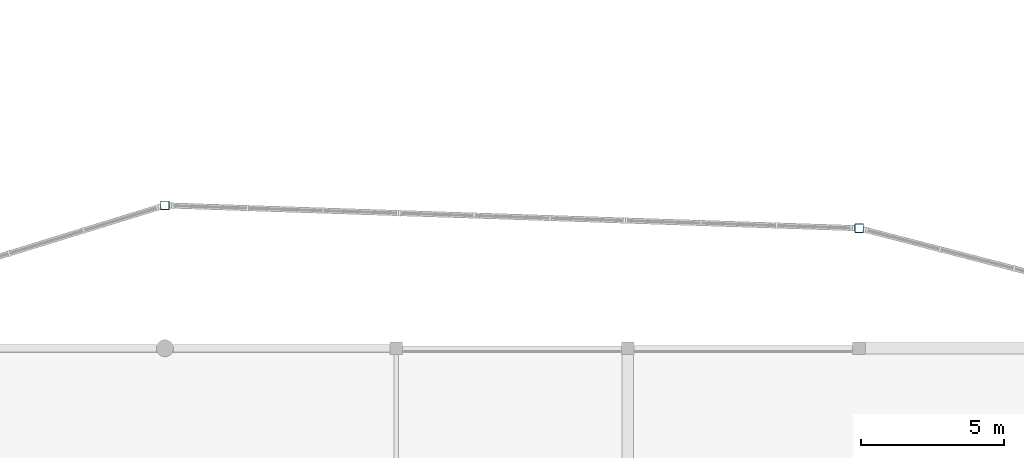
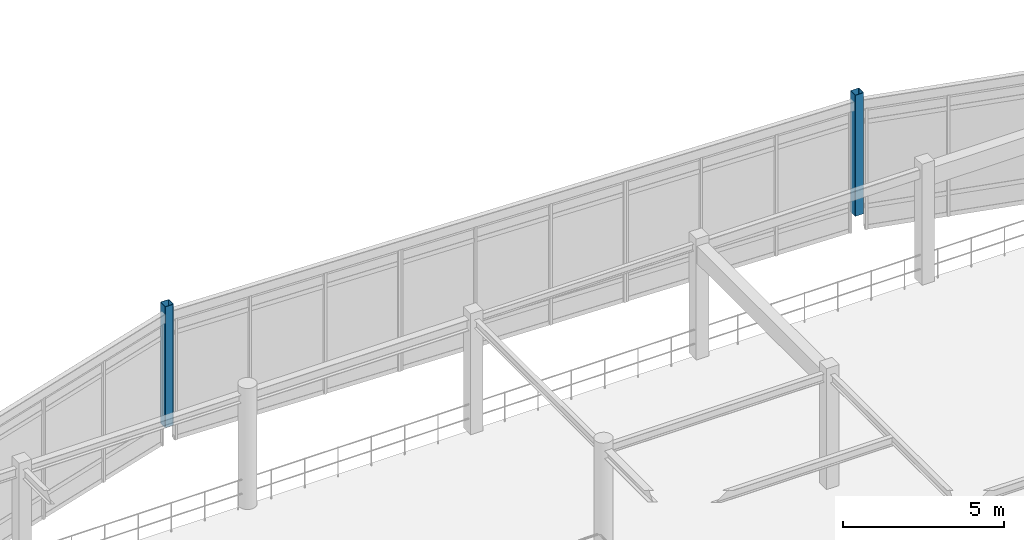
# One storey, part 7 of 93: 2 columns.
"""IFC4 building model written with IfcOpenShell, lengths in metres."""

import ifcopenshell
import ifcopenshell.guid

model = None  # the IFC model being written
_history = None  # IfcOwnerHistory: only IFC2X3 demands one
_inside = {}  # id of a spatial element -> (the spatial element, [elements in it])
_under = {}  # id of a project, library or spatial element -> (it, [spatial elements below it])
_declared = {}  # id of a project -> (the project, [libraries it declares])
_typed = {}  # id of a type object -> (the type object, [elements of that type])
_made_of = {}  # id of a material, layer set ... -> (it, [elements and type objects made of it])


def new_model(schema):
    """Start an empty IFC model of exactly this schema.

    Asked for "IFC4X3", IfcOpenShell would pick the latest addendum, in which some entities
    have other attributes; the version numbers below select the first issue.
    IFC2X3 requires an IfcOwnerHistory on every rooted entity: one is made here for all.
    """
    global model, _history
    if schema == "IFC4X3":
        model = ifcopenshell.file(schema_version=(4, 3, 0, 0))
    else:
        model = ifcopenshell.file(schema=schema)
    _inside.clear()
    _under.clear()
    _declared.clear()
    _typed.clear()
    _made_of.clear()
    _history = None
    if model.schema == "IFC2X3":
        org = make("IfcOrganization", Name="unknown")
        user = make(
            "IfcPersonAndOrganization",
            ThePerson=make("IfcPerson", FamilyName="unknown"),
            TheOrganization=org,
        )
        app = make(
            "IfcApplication",
            ApplicationDeveloper=org,
            Version="unknown",
            ApplicationFullName="unknown",
            ApplicationIdentifier="unknown",
        )
        _history = make(
            "IfcOwnerHistory",
            OwningUser=user,
            OwningApplication=app,
            ChangeAction="ADDED",
            CreationDate=0,
        )
    return model


def make(cls, **values):
    """One entity of the class cls with the attributes given. An attribute that is None is left unset."""
    return model.create_entity(
        cls, **{name: value for name, value in values.items() if value is not None}
    )


def rooted(cls, **values):
    """An entity with a GlobalId (a new one), such as an element, a storey or a relation."""
    return make(cls, GlobalId=ifcopenshell.guid.new(), OwnerHistory=_history, **values)


def si_unit(unit_type, name, prefix=None):
    """IfcSIUnit, for example si_unit("LENGTHUNIT", "METRE", prefix="MILLI")."""
    return make("IfcSIUnit", UnitType=unit_type, Prefix=prefix, Name=name)


def assignment(units):
    """IfcUnitAssignment: the units of a project."""
    return None if units is None else make("IfcUnitAssignment", Units=units)


def point(xyz):
    """IfcCartesianPoint."""
    return None if xyz is None else make("IfcCartesianPoint", Coordinates=xyz)


def direction(xyz):
    """IfcDirection."""
    return None if xyz is None else make("IfcDirection", DirectionRatios=xyz)


def frame(location, z_axis=None, x_axis=None):
    """IfcAxis2Placement3D, a coordinate frame: its origin and axes. An axis left out is left unset."""
    return make(
        "IfcAxis2Placement3D",
        Location=point(location),
        Axis=direction(z_axis),
        RefDirection=direction(x_axis),
    )


def frame_2d(location, x_axis=None):
    """IfcAxis2Placement2D, a coordinate frame in the plane: its origin and x axis."""
    return make(
        "IfcAxis2Placement2D", Location=point(location), RefDirection=direction(x_axis)
    )


def origin():
    """The frame at (0, 0, 0) with its axes left unset."""
    return frame((0.0, 0.0, 0.0))


def origin_2d():
    """The frame at (0, 0) in the plane with its x axis left unset."""
    return frame_2d((0.0, 0.0))


def place(relative_to, where):
    """IfcLocalPlacement: puts the frame where relative to a parent placement (None: the world)."""
    return make(
        "IfcLocalPlacement", PlacementRelTo=relative_to, RelativePlacement=where
    )


def context(
    kind, dimensions, precision=None, world=None, true_north=None, identifier=None
):
    """IfcGeometricRepresentationContext, for example the 3D "Model" context."""
    return make(
        "IfcGeometricRepresentationContext",
        ContextIdentifier=identifier,
        ContextType=kind,
        CoordinateSpaceDimension=dimensions,
        Precision=precision,
        WorldCoordinateSystem=world,
        TrueNorth=true_north,
    )


def subcontext(parent, identifier, kind, view, scale=None):
    """IfcGeometricRepresentationSubContext, for example "Body" below "Model"."""
    return make(
        "IfcGeometricRepresentationSubContext",
        ContextIdentifier=identifier,
        ContextType=kind,
        ParentContext=parent,
        TargetScale=scale,
        TargetView=view,
    )


def project(units=None, contexts=None):
    """IfcProject with its units and contexts."""
    return rooted(
        "IfcProject",
        Name="project",
        RepresentationContexts=contexts,
        UnitsInContext=assignment(units),
    )


def spatial(cls, under=None, at=None, **own):
    """A site, building, storey or space (cls), placed at a placement, below another one or the project."""
    s = rooted(cls, ObjectPlacement=at, **own)
    if under is not None:
        _under.setdefault(under.id(), (under, []))[1].append(s)
    return s


def profile(cls, at=None, kind="AREA", **sizes):
    """A parametric profile (cls). Its sizes go by their IFC names, for example OverallWidth=200.0."""
    return make(cls, ProfileType=kind, Position=at, **sizes)


def hollow_rectangle(**sizes):
    """IfcRectangleHollowProfileDef."""
    return profile("IfcRectangleHollowProfileDef", **sizes)


def extrude(swept, where, along, depth):
    """IfcExtrudedAreaSolid: the profile swept, set in the frame where, extruded along a direction by depth."""
    return make(
        "IfcExtrudedAreaSolid",
        SweptArea=swept,
        Position=where,
        ExtrudedDirection=direction(along),
        Depth=depth,
    )


def shape(context_of_items, identifier, shape_type, items):
    """IfcShapeRepresentation: the items that make up one representation, for example the "Body"."""
    return make(
        "IfcShapeRepresentation",
        ContextOfItems=context_of_items,
        RepresentationIdentifier=identifier,
        RepresentationType=shape_type,
        Items=items,
    )


def material(Name=None, Category=None):
    """IfcMaterial."""
    return make("IfcMaterial", Name=Name, Category=Category)


def material_profile(
    of_material, cross_section, Name=None, Category=None, Priority=None
):
    """IfcMaterialProfile: a cross section and its material."""
    return make(
        "IfcMaterialProfile",
        Name=Name,
        Material=of_material,
        Profile=cross_section,
        Priority=Priority,
        Category=Category,
    )


def profile_set(profiles, Name=None, composite=None):
    """IfcMaterialProfileSet."""
    return make(
        "IfcMaterialProfileSet",
        Name=Name,
        MaterialProfiles=profiles,
        CompositeProfile=composite,
    )


def made_of(thing, what):
    """Note that an element or type object is made of a material, layer set ...; save() writes the relation."""
    if what is not None:
        _made_of.setdefault(what.id(), (what, []))[1].append(thing)
    return thing


def type_object(cls, material=None, **own):
    """A type object (cls), such as IfcWallType, which elements share."""
    return made_of(rooted(cls, **own), material)


def element(
    cls,
    number,
    at=None,
    inside=None,
    cuts=None,
    type_object=None,
    material=None,
    context=None,
    identifier="Body",
    shape_type=None,
    held_by="IfcProductDefinitionShape",
    body=None,
    shapes=None,
    **own,
):
    """One element of the class cls, such as IfcWall. Its Tag is "e" and its number.

    at: its placement. inside: the storey or other place that contains it. cuts: it is an
    opening in that element (IfcRelVoidsElement). A single representation is given by context,
    identifier, shape_type and body (its items); several are given by shapes. held_by: the class
    of the entity that holds the representations. save() writes the other relations.
    """
    e = rooted(cls, Tag="e%d" % number, ObjectPlacement=at, **own)
    if body is not None:
        shapes = [shape(context, identifier, shape_type, body)]
    if shapes is not None:
        e.Representation = make(held_by, Representations=shapes)
    if inside is not None:
        _inside.setdefault(inside.id(), (inside, []))[1].append(e)
    if cuts is not None:
        rooted(
            "IfcRelVoidsElement", RelatingBuildingElement=cuts, RelatedOpeningElement=e
        )
    if type_object is not None:
        _typed.setdefault(type_object.id(), (type_object, []))[1].append(e)
    return made_of(e, material)


def aggregate(whole, parts):
    """IfcRelAggregates: a whole, such as a stair, and the parts it consists of."""
    return rooted("IfcRelAggregates", RelatingObject=whole, RelatedObjects=parts)


def save(model, path):
    """Write the relations noted so far, then the file.

    IfcRelAggregates (storeys below a building ...), IfcRelContainedInSpatialStructure (elements
    in a storey), IfcRelDefinesByType, IfcRelAssociatesMaterial and IfcRelDeclares: one each for
    every whole, place, type object, material and project.
    """
    for whole, parts in _under.values():
        aggregate(whole, parts)
    for where, things in _inside.values():
        rooted(
            "IfcRelContainedInSpatialStructure",
            RelatedElements=things,
            RelatingStructure=where,
        )
    for kind, things in _typed.values():
        rooted("IfcRelDefinesByType", RelatedObjects=things, RelatingType=kind)
    for what, things in _made_of.values():
        rooted("IfcRelAssociatesMaterial", RelatedObjects=things, RelatingMaterial=what)
    for by, libraries in _declared.values():
        rooted("IfcRelDeclares", RelatingContext=by, RelatedDefinitions=libraries)
    model.write(path)


model = new_model("IFC4")

# Units and contexts
model_context = context("Model", 3, precision=1e-05, world=origin(), true_north=direction((0.0, 1.0)))
body_context = subcontext(model_context, "Body", "Model", "MODEL_VIEW")
ifc_project = project(units=[si_unit("LENGTHUNIT", "METRE"), si_unit("AREAUNIT", "SQUARE_METRE"), si_unit("VOLUMEUNIT", "CUBIC_METRE"), si_unit("PLANEANGLEUNIT", "RADIAN"), si_unit("MASSUNIT", "GRAM", prefix="KILO")], contexts=[model_context])

# Site, building, storey
site_placement = place(None, origin())
site = spatial("IfcSite", under=ifc_project, at=site_placement, CompositionType="ELEMENT")
building_placement = place(site_placement, origin())
building = spatial("IfcBuilding", under=site, at=building_placement, Name="Vaudrelin Polytechnic", CompositionType="ELEMENT")
storey_placement = place(building_placement, frame((0.0, 0.0, 5.10009765625)))
storey = spatial("IfcBuildingStorey", under=building, at=storey_placement, Name="L01", CompositionType="ELEMENT", Elevation=5.10009765625)

# Columns
ifc_material = material(Name="Steel CSA G40.21 350WT", Category="steel")
ifc_material_profile = material_profile(ifc_material, hollow_rectangle(XDim=0.304931640625, YDim=0.304931640625, WallThickness=0.0126953125, InnerFilletRadius=0.0126953125, OuterFilletRadius=0.025390625, at=origin_2d()), Name="HSS305x305x12.7")
ifc_profile_set = profile_set([ifc_material_profile], Name="Steel CSA G40.21 350WT")
column_type = type_object("IfcColumnType", Name="COL-C-HSS305", PredefinedType="COLUMN", material=ifc_profile_set)
for number, where, z_axis, x_axis, name in (
    (1, (72.89990234375, 53.60009765625, 0.0), (0.0, 0.0, 1.0), (1.0, 0.0, 0.0), "Deconstructivist column L01 CT_OR1_1"),
    (2, (97.199951171875, 52.800048828125, 0.0), (0.0, 0.0, 1.0), (1.0, 0.0, 0.0), "Deconstructivist column L01 CT_OR1_2"),
):
    element("IfcColumn", number, at=place(storey_placement, frame(where, z_axis=z_axis, x_axis=x_axis)), inside=storey, type_object=column_type, Name=name, PredefinedType="COLUMN", context=body_context, shape_type="SweptSolid", body=[
        extrude(hollow_rectangle(XDim=0.304931640625, YDim=0.304931640625, WallThickness=0.0126953125, InnerFilletRadius=0.0126953125, OuterFilletRadius=0.025390625, at=origin_2d()), origin(), (0.0, 0.0, 1.0), 4.58984375),
    ])

save(model, "model.ifc")
